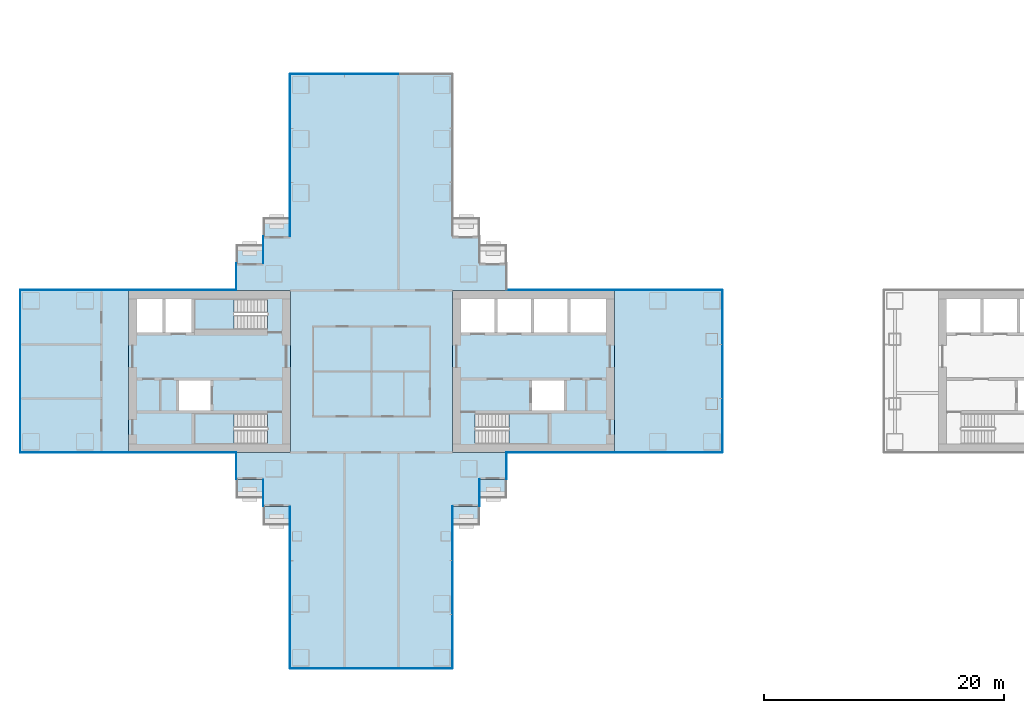
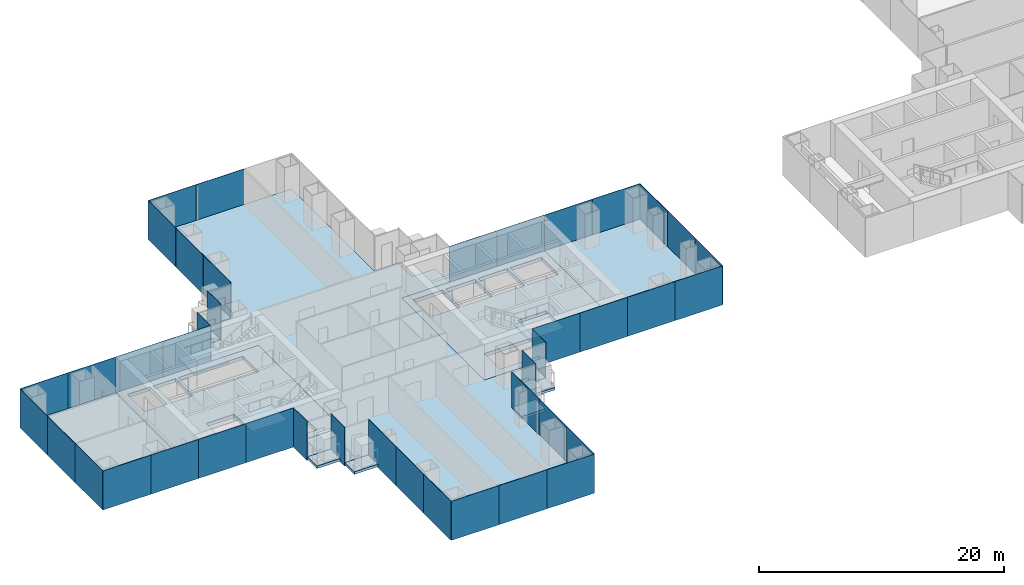
# One storey, part 10 of 21: 42 plates, 14 slabs, 21 elements without a shape of their own.
"""IFC4 building model written with IfcOpenShell, lengths in metres."""

from ifc_helpers import new_model, si_unit, direction, frame, origin, origin_2d, place, context, subcontext, project, spatial, polyline, rectangle, outline, extrude, material, layer, layer_set, type_object, element, aggregate, save


model = new_model("IFC4")

# Units and contexts
model_context = context("Model", 3, precision=1e-05, world=origin(), true_north=direction((0.0, 1.0)))
body_context = subcontext(model_context, "Body", "Model", "MODEL_VIEW")
ifc_project = project(units=[si_unit("LENGTHUNIT", "METRE"), si_unit("AREAUNIT", "SQUARE_METRE"), si_unit("VOLUMEUNIT", "CUBIC_METRE"), si_unit("PLANEANGLEUNIT", "RADIAN"), si_unit("MASSUNIT", "GRAM", prefix="KILO")], contexts=[model_context])

# Site, building, storey
site_placement = place(None, origin())
site = spatial("IfcSite", under=ifc_project, at=site_placement, CompositionType="ELEMENT")
building_placement = place(site_placement, origin())
building = spatial("IfcBuilding", under=site, at=building_placement, Name="Shamsa Quay Exchange Towers", CompositionType="ELEMENT")
storey_placement = place(building_placement, frame((0.0, 0.0, 45.89990234375)))
storey = spatial("IfcBuildingStorey", under=building, at=storey_placement, Name="L09", CompositionType="ELEMENT", Elevation=45.89990234375)

# Slabs
ifc_material_1 = material(Name="Precast concrete C40/50", Category="concrete")
ifc_layer_1 = layer(ifc_material_1, 0.25)
ifc_layer_set_1 = layer_set([ifc_layer_1], Name="BALCONY SLAB 250")
slab_type_1 = type_object("IfcSlabType", Name="BALCONY SLAB 250", PredefinedType="FLOOR", material=ifc_layer_set_1)
slab_1_placement = place(storey_placement, frame((0.0, 0.0, -0.25)))
element("IfcSlab", 1, at=slab_1_placement, inside=storey, type_object=slab_type_1, Name="Balcony T1-PKES L09", PredefinedType="FLOOR", context=body_context, shape_type="SweptSolid", body=[
    extrude(outline(polyline([(-24.7119140625, -9.0), (-22.5, -9.0), (-22.5, -10.550048828125), (-24.7119140625, -10.550048828125), (-24.7119140625, -9.0)])), origin(), (0.0, 0.0, 1.0), 0.25),
])
slab_2_placement = place(storey_placement, frame((0.0, 0.0, -0.25)))
element("IfcSlab", 2, at=slab_2_placement, inside=storey, type_object=slab_type_1, Name="Balcony T1-PKES L09", PredefinedType="FLOOR", context=body_context, shape_type="SweptSolid", body=[
    extrude(outline(polyline([(-26.9619140625, -11.25), (-24.75, -11.25), (-24.75, -12.800048828125), (-26.9619140625, -12.800048828125), (-26.9619140625, -11.25)])), origin(), (0.0, 0.0, 1.0), 0.25),
])
slab_3_placement = place(storey_placement, frame((0.0, 0.0, -0.25)))
element("IfcSlab", 3, at=slab_3_placement, inside=storey, type_object=slab_type_1, Name="Balcony T1-PKWN L09", PredefinedType="FLOOR", context=body_context, shape_type="SweptSolid", body=[
    extrude(outline(polyline([(-40.5380859375, 11.25), (-42.75, 11.25), (-42.75, 12.800048828125), (-40.5380859375, 12.800048828125), (-40.5380859375, 11.25)])), origin(), (0.0, 0.0, 1.0), 0.25),
])
slab_4_placement = place(storey_placement, frame((0.0, 0.0, -0.25)))
element("IfcSlab", 4, at=slab_4_placement, inside=storey, type_object=slab_type_1, Name="Balcony T1-PKWN L09", PredefinedType="FLOOR", context=body_context, shape_type="SweptSolid", body=[
    extrude(outline(polyline([(-42.7880859375, 9.0), (-45.0, 9.0), (-45.0, 10.550048828125), (-42.7880859375, 10.550048828125), (-42.7880859375, 9.0)])), origin(), (0.0, 0.0, 1.0), 0.25),
])
slab_5_placement = place(storey_placement, frame((0.0, 0.0, -0.25)))
element("IfcSlab", 5, at=slab_5_placement, inside=storey, type_object=slab_type_1, Name="Balcony T1-PKWS L09", PredefinedType="FLOOR", context=body_context, shape_type="SweptSolid", body=[
    extrude(outline(polyline([(-45.0, -9.0), (-42.7880859375, -9.0), (-42.7880859375, -10.550048828125), (-45.0, -10.550048828125), (-45.0, -9.0)])), origin(), (0.0, 0.0, 1.0), 0.25),
])
slab_6_placement = place(storey_placement, frame((0.0, 0.0, -0.25)))
element("IfcSlab", 6, at=slab_6_placement, inside=storey, type_object=slab_type_1, Name="Balcony T1-PKWS L09", PredefinedType="FLOOR", context=body_context, shape_type="SweptSolid", body=[
    extrude(outline(polyline([(-42.75, -11.25), (-40.5380859375, -11.25), (-40.5380859375, -12.800048828125), (-42.75, -12.800048828125), (-42.75, -11.25)])), origin(), (0.0, 0.0, 1.0), 0.25),
])
ifc_material_2 = material(Name="Concrete C50/60", Category="concrete")
ifc_layer_2 = layer(ifc_material_2, 0.35009765625)
ifc_layer_set_2 = layer_set([ifc_layer_2], Name="CORE FLOOR 350 C50/60")
slab_type_2 = type_object("IfcSlabType", Name="CORE FLOOR 350 C50/60", PredefinedType="FLOOR", material=ifc_layer_set_2)
slab_7_placement = place(storey_placement, frame((0.0, 0.0, -0.349853515625)))
element("IfcSlab", 7, at=slab_7_placement, inside=storey, type_object=slab_type_2, Name="Core floor T1A", PredefinedType="FLOOR", context=body_context, shape_type="SweptSolid", body=[
    extrude(outline(polyline([(-27.0, -6.75), (-13.5, -6.75), (-13.5, 6.75), (-27.0, 6.75), (-27.0, -6.75)]), holes=[polyline([(-25.099365234375, -6.050048828125), (-25.099365234375, -3.5), (-19.0, -3.5), (-19.0, -6.050048828125), (-25.099365234375, -6.050048828125)]), polyline([(-26.300048828125, 3.25), (-26.300048828125, 6.050048828125), (-23.5, 6.050048828125), (-23.5, 3.25), (-26.300048828125, 3.25)]), polyline([(-23.25, 3.25), (-23.25, 6.050048828125), (-20.449951171875, 6.050048828125), (-20.449951171875, 3.25), (-23.25, 3.25)]), polyline([(-20.199951171875, 3.25), (-20.199951171875, 6.050048828125), (-17.39990234375, 6.050048828125), (-17.39990234375, 3.25), (-20.199951171875, 3.25)]), polyline([(-17.14990234375, 3.25), (-17.14990234375, 6.050048828125), (-14.199951171875, 6.050048828125), (-14.199951171875, 3.25), (-17.14990234375, 3.25)]), polyline([(-20.35009765625, -3.25), (-20.35009765625, -0.75), (-17.699951171875, -0.75), (-17.699951171875, -3.25), (-20.35009765625, -3.25)])]), origin(), (0.0, 0.0, 1.0), 0.349853515625),
])
slab_8_placement = place(storey_placement, frame((0.0, 0.0, -0.349853515625)))
element("IfcSlab", 8, at=slab_8_placement, inside=storey, type_object=slab_type_2, Name="Core floor T1B", PredefinedType="FLOOR", context=body_context, shape_type="SweptSolid", body=[
    extrude(outline(polyline([(-40.5, -6.75), (-40.5, 6.75), (-54.0, 6.75), (-54.0, -6.75), (-40.5, -6.75)]), holes=[polyline([(-42.400634765625, -3.5), (-42.400634765625, -6.050048828125), (-48.5, -6.050048828125), (-48.5, -3.5), (-42.400634765625, -3.5)]), polyline([(-42.400634765625, 6.050048828125), (-42.400634765625, 3.5), (-48.5, 3.5), (-48.5, 6.050048828125), (-42.400634765625, 6.050048828125)]), polyline([(-48.75, 3.25), (-50.89990234375, 3.25), (-50.89990234375, 6.050048828125), (-48.75, 6.050048828125), (-48.75, 3.25)]), polyline([(-51.14990234375, 3.25), (-53.300048828125, 3.25), (-53.300048828125, 6.050048828125), (-51.14990234375, 6.050048828125), (-51.14990234375, 3.25)]), polyline([(-47.14990234375, -3.25), (-49.800048828125, -3.25), (-49.800048828125, -0.75), (-47.14990234375, -0.75), (-47.14990234375, -3.25)])]), origin(), (0.0, 0.0, 1.0), 0.349853515625),
])

# Stair, slab
ifc_material_3 = material(Name="Concrete C40/50", Category="concrete")
stair_type = type_object("IfcStairType", Name="EXIT STAIR 22 RISERS 177 MM", PredefinedType="HALF_TURN_STAIR", material=ifc_material_3)
stair_1_placement = place(storey_placement, origin())
stair_1 = element("IfcStair", 9, at=stair_1_placement, inside=storey, type_object=stair_type, Name="L09 Exit stair ST1", PredefinedType="HALF_TURN_STAIR")
ifc_layer_3 = layer(ifc_material_3, 0.199951171875)
ifc_layer_set_3 = layer_set([ifc_layer_3], Name="CORE STAIR LANDING")
slab_type_3 = type_object("IfcSlabType", Name="CORE STAIR LANDING", PredefinedType="LANDING", material=ifc_layer_set_3)
slab_9_placement = place(storey_placement, frame((0.0, 0.0, 1.75)))
slab_9 = element("IfcSlab", 10, at=slab_9_placement, type_object=slab_type_3, Name="ST1 landing 1", PredefinedType="LANDING", context=body_context, shape_type="SweptSolid", body=[
    extrude(outline(polyline([(-22.300048828125, -6.050048828125), (-19.0, -6.050048828125), (-19.0, -3.5), (-22.300048828125, -3.5), (-22.300048828125, -6.050048828125)])), origin(), (0.0, 0.0, 1.0), 0.2001953125),
])
aggregate(stair_1, [slab_9])

stair_2_placement = place(storey_placement, origin())
stair_2 = element("IfcStair", 11, at=stair_2_placement, inside=storey, type_object=stair_type, Name="L09 Exit stair ST2", PredefinedType="HALF_TURN_STAIR")
slab_10_placement = place(storey_placement, frame((0.0, 0.0, 1.75)))
slab_10 = element("IfcSlab", 12, at=slab_10_placement, type_object=slab_type_3, Name="ST2 landing 1", PredefinedType="LANDING", context=body_context, shape_type="SweptSolid", body=[
    extrude(outline(polyline([(-45.199951171875, -3.5), (-48.5, -3.5), (-48.5, -6.050048828125), (-45.199951171875, -6.050048828125), (-45.199951171875, -3.5)])), origin(), (0.0, 0.0, 1.0), 0.2001953125),
])
aggregate(stair_2, [slab_10])

stair_3_placement = place(storey_placement, origin())
stair_3 = element("IfcStair", 13, at=stair_3_placement, inside=storey, type_object=stair_type, Name="L09 Exit stair ST3", PredefinedType="HALF_TURN_STAIR")
slab_11_placement = place(storey_placement, frame((0.0, 0.0, 1.75)))
slab_11 = element("IfcSlab", 14, at=slab_11_placement, type_object=slab_type_3, Name="ST3 landing 1", PredefinedType="LANDING", context=body_context, shape_type="SweptSolid", body=[
    extrude(outline(polyline([(-45.199951171875, 6.050048828125), (-48.5, 6.050048828125), (-48.5, 3.5), (-45.199951171875, 3.5), (-45.199951171875, 6.050048828125)])), origin(), (0.0, 0.0, 1.0), 0.2001953125),
])
aggregate(stair_3, [slab_11])

# Curtain wall, plates
ifc_material_4 = material(Name="Aluminium EN AW-6063 T6, black anodised", Category="aluminium")
ifc_layer_4 = layer(ifc_material_4, 0.280029296875)
ifc_layer_set_4 = layer_set([ifc_layer_4], Name="CW-1 UNITISED VISION GLASS")
curtain_wall_type_1 = type_object("IfcCurtainWallType", Name="CW-1 UNITISED VISION GLASS", PredefinedType="NOTDEFINED", material=ifc_layer_set_4)
curtain_wall_1_placement = place(storey_placement, origin())
curtain_wall_1 = element("IfcCurtainWall", 15, at=curtain_wall_1_placement, inside=storey, type_object=curtain_wall_type_1, Name="CW1 T1-FLK-V-W L09", PredefinedType="NOTDEFINED")
ifc_material_5 = material(Name="Glass, laminated, dark tinted", Category="glass")
ifc_layer_5 = layer(ifc_material_5, 0.0400390625)
ifc_layer_set_5 = layer_set([ifc_layer_5], Name="CW-1 VISION GLASS 40")
plate_type_1 = type_object("IfcPlateType", Name="CW-1 VISION GLASS 40", PredefinedType="CURTAIN_PANEL", material=ifc_layer_set_5)
plate_1_placement = place(storey_placement, frame((-40.52001953125, -13.529052734375, -0.349853515625), z_axis=(0.0, 0.0, 1.0), x_axis=(0.0, -1.0, 0.0)))
plate_1 = element("IfcPlate", 16, at=plate_1_placement, type_object=plate_type_1, Name="CW1 glass panel", PredefinedType="CURTAIN_PANEL", context=body_context, shape_type="SweptSolid", body=[
    extrude(rectangle(XDim=4.482421875, YDim=0.0400390625, at=origin_2d()), origin(), (0.0, 0.0, 1.0), 3.89990234375),
])
plate_2_placement = place(storey_placement, frame((-40.52001953125, -18.01904296875, -0.349853515625), z_axis=(0.0, 0.0, 1.0), x_axis=(0.0, -1.0, 0.0)))
plate_2 = element("IfcPlate", 17, at=plate_2_placement, type_object=plate_type_1, Name="CW1 glass panel", PredefinedType="CURTAIN_PANEL", context=body_context, shape_type="SweptSolid", body=[
    extrude(rectangle(XDim=4.477294921875, YDim=0.0400390625, at=origin_2d()), origin(), (0.0, 0.0, 1.0), 3.89990234375),
])
plate_3_placement = place(storey_placement, frame((-40.52001953125, -22.5087890625, -0.349853515625), z_axis=(0.0, 0.0, 1.0), x_axis=(0.0, -1.0, 0.0)))
plate_3 = element("IfcPlate", 18, at=plate_3_placement, type_object=plate_type_1, Name="CW1 glass panel", PredefinedType="CURTAIN_PANEL", context=body_context, shape_type="SweptSolid", body=[
    extrude(rectangle(XDim=4.482421875, YDim=0.0400390625, at=origin_2d()), origin(), (0.0, 0.0, 1.0), 3.89990234375),
])
aggregate(curtain_wall_1, [plate_1, plate_2, plate_3])

curtain_wall_2_placement = place(storey_placement, origin())
curtain_wall_2 = element("IfcCurtainWall", 19, at=curtain_wall_2_placement, inside=storey, type_object=curtain_wall_type_1, Name="CW1 T1-END-V- L09", PredefinedType="NOTDEFINED")
plate_4_placement = place(storey_placement, frame((-38.25244140625, -24.77001953125, -0.349853515625)))
plate_4 = element("IfcPlate", 20, at=plate_4_placement, type_object=plate_type_1, Name="CW1 glass panel", PredefinedType="CURTAIN_PANEL", context=body_context, shape_type="SweptSolid", body=[
    extrude(rectangle(XDim=4.4951171875, YDim=0.0400390625, at=origin_2d()), origin(), (0.0, 0.0, 1.0), 3.89990234375),
])
plate_5_placement = place(storey_placement, frame((-33.75, -24.77001953125, -0.349853515625)))
plate_5 = element("IfcPlate", 21, at=plate_5_placement, type_object=plate_type_1, Name="CW1 glass panel", PredefinedType="CURTAIN_PANEL", context=body_context, shape_type="SweptSolid", body=[
    extrude(rectangle(XDim=4.489990234375, YDim=0.0400390625, at=origin_2d()), origin(), (0.0, 0.0, 1.0), 3.89990234375),
])
plate_6_placement = place(storey_placement, frame((-29.24755859375, -24.77001953125, -0.349853515625)))
plate_6 = element("IfcPlate", 22, at=plate_6_placement, type_object=plate_type_1, Name="CW1 glass panel", PredefinedType="CURTAIN_PANEL", context=body_context, shape_type="SweptSolid", body=[
    extrude(rectangle(XDim=4.4951171875, YDim=0.0400390625, at=origin_2d()), origin(), (0.0, 0.0, 1.0), 3.89990234375),
])
aggregate(curtain_wall_2, [plate_4, plate_5, plate_6])

curtain_wall_3_placement = place(storey_placement, origin())
curtain_wall_3 = element("IfcCurtainWall", 23, at=curtain_wall_3_placement, inside=storey, type_object=curtain_wall_type_1, Name="CW1 T1-FLK-V-E L09", PredefinedType="NOTDEFINED")
plate_7_placement = place(storey_placement, frame((-26.97998046875, -22.50244140625, -0.349853515625), z_axis=(0.0, 0.0, 1.0), x_axis=(0.0, 1.0, 0.0)))
plate_7 = element("IfcPlate", 24, at=plate_7_placement, type_object=plate_type_1, Name="CW1 glass panel", PredefinedType="CURTAIN_PANEL", context=body_context, shape_type="SweptSolid", body=[
    extrude(rectangle(XDim=4.4951171875, YDim=0.0400390625, at=origin_2d()), origin(), (0.0, 0.0, 1.0), 3.89990234375),
])
plate_8_placement = place(storey_placement, frame((-26.97998046875, -18.0, -0.349853515625), z_axis=(0.0, 0.0, 1.0), x_axis=(0.0, 1.0, 0.0)))
plate_8 = element("IfcPlate", 25, at=plate_8_placement, type_object=plate_type_1, Name="CW1 glass panel", PredefinedType="CURTAIN_PANEL", context=body_context, shape_type="SweptSolid", body=[
    extrude(rectangle(XDim=4.489990234375, YDim=0.0400390625, at=origin_2d()), origin(), (0.0, 0.0, 1.0), 3.89990234375),
])
plate_9_placement = place(storey_placement, frame((-26.97998046875, -13.49755859375, -0.349853515625), z_axis=(0.0, 0.0, 1.0), x_axis=(0.0, 1.0, 0.0)))
plate_9 = element("IfcPlate", 26, at=plate_9_placement, type_object=plate_type_1, Name="CW1 glass panel", PredefinedType="CURTAIN_PANEL", context=body_context, shape_type="SweptSolid", body=[
    extrude(rectangle(XDim=4.4951171875, YDim=0.0400390625, at=origin_2d()), origin(), (0.0, 0.0, 1.0), 3.89990234375),
])
aggregate(curtain_wall_3, [plate_7, plate_8, plate_9])

curtain_wall_4_placement = place(storey_placement, origin())
curtain_wall_4 = element("IfcCurtainWall", 27, at=curtain_wall_4_placement, inside=storey, type_object=curtain_wall_type_1, Name="CW1 T1-FLK-U+S L09", PredefinedType="NOTDEFINED")
plate_10_placement = place(storey_placement, frame((-11.25244140625, -6.77001953125, -0.349853515625)))
plate_10 = element("IfcPlate", 28, at=plate_10_placement, type_object=plate_type_1, Name="CW1 glass panel", PredefinedType="CURTAIN_PANEL", context=body_context, shape_type="SweptSolid", body=[
    extrude(rectangle(XDim=4.4951171875, YDim=0.0400390625, at=origin_2d()), origin(), (0.0, 0.0, 1.0), 3.89990234375),
])
plate_11_placement = place(storey_placement, frame((-6.74755859375, -6.77001953125, -0.349853515625)))
plate_11 = element("IfcPlate", 29, at=plate_11_placement, type_object=plate_type_1, Name="CW1 glass panel", PredefinedType="CURTAIN_PANEL", context=body_context, shape_type="SweptSolid", body=[
    extrude(rectangle(XDim=4.4951171875, YDim=0.0400390625, at=origin_2d()), origin(), (0.0, 0.0, 1.0), 3.89990234375),
])
aggregate(curtain_wall_4, [plate_10, plate_11])

curtain_wall_5_placement = place(storey_placement, origin())
curtain_wall_5 = element("IfcCurtainWall", 30, at=curtain_wall_5_placement, inside=storey, type_object=curtain_wall_type_1, Name="CW1 T1-END-U+ L09", PredefinedType="NOTDEFINED")
plate_12_placement = place(storey_placement, frame((-4.47998046875, -4.50244140625, -0.349853515625), z_axis=(0.0, 0.0, 1.0), x_axis=(0.0, 1.0, 0.0)))
plate_12 = element("IfcPlate", 31, at=plate_12_placement, type_object=plate_type_1, Name="CW1 glass panel", PredefinedType="CURTAIN_PANEL", context=body_context, shape_type="SweptSolid", body=[
    extrude(rectangle(XDim=4.4951171875, YDim=0.0400390625, at=origin_2d()), origin(), (0.0, 0.0, 1.0), 3.89990234375),
])
plate_13_placement = place(storey_placement, frame((-4.47998046875, 0.0, -0.349853515625), z_axis=(0.0, 0.0, 1.0), x_axis=(0.0, 1.0, 0.0)))
plate_13 = element("IfcPlate", 32, at=plate_13_placement, type_object=plate_type_1, Name="CW1 glass panel", PredefinedType="CURTAIN_PANEL", context=body_context, shape_type="SweptSolid", body=[
    extrude(rectangle(XDim=4.489990234375, YDim=0.0400390625, at=origin_2d()), origin(), (0.0, 0.0, 1.0), 3.89990234375),
])
plate_14_placement = place(storey_placement, frame((-4.47998046875, 4.50244140625, -0.349853515625), z_axis=(0.0, 0.0, 1.0), x_axis=(0.0, 1.0, 0.0)))
plate_14 = element("IfcPlate", 33, at=plate_14_placement, type_object=plate_type_1, Name="CW1 glass panel", PredefinedType="CURTAIN_PANEL", context=body_context, shape_type="SweptSolid", body=[
    extrude(rectangle(XDim=4.4951171875, YDim=0.0400390625, at=origin_2d()), origin(), (0.0, 0.0, 1.0), 3.89990234375),
])
aggregate(curtain_wall_5, [plate_12, plate_13, plate_14])

curtain_wall_6_placement = place(storey_placement, origin())
curtain_wall_6 = element("IfcCurtainWall", 34, at=curtain_wall_6_placement, inside=storey, type_object=curtain_wall_type_1, Name="CW1 T1-FLK-U+N L09", PredefinedType="NOTDEFINED")
plate_15_placement = place(storey_placement, frame((-6.74755859375, 6.77001953125, -0.349853515625), z_axis=(0.0, 0.0, 1.0), x_axis=(-1.0, 0.0, 0.0)))
plate_15 = element("IfcPlate", 35, at=plate_15_placement, type_object=plate_type_1, Name="CW1 glass panel", PredefinedType="CURTAIN_PANEL", context=body_context, shape_type="SweptSolid", body=[
    extrude(rectangle(XDim=4.4951171875, YDim=0.0400390625, at=origin_2d()), origin(), (0.0, 0.0, 1.0), 3.89990234375),
])
plate_16_placement = place(storey_placement, frame((-11.25244140625, 6.77001953125, -0.349853515625), z_axis=(0.0, 0.0, 1.0), x_axis=(-1.0, 0.0, 0.0)))
plate_16 = element("IfcPlate", 36, at=plate_16_placement, type_object=plate_type_1, Name="CW1 glass panel", PredefinedType="CURTAIN_PANEL", context=body_context, shape_type="SweptSolid", body=[
    extrude(rectangle(XDim=4.4951171875, YDim=0.0400390625, at=origin_2d()), origin(), (0.0, 0.0, 1.0), 3.89990234375),
])
aggregate(curtain_wall_6, [plate_15, plate_16])

curtain_wall_7_placement = place(storey_placement, origin())
curtain_wall_7 = element("IfcCurtainWall", 37, at=curtain_wall_7_placement, inside=storey, type_object=curtain_wall_type_1, Name="CW1 T1-END-V+ L09", PredefinedType="NOTDEFINED")
plate_17_placement = place(storey_placement, frame((-33.75, 24.77001953125, -0.349853515625), z_axis=(0.0, 0.0, 1.0), x_axis=(-1.0, 0.0, 0.0)))
plate_17 = element("IfcPlate", 38, at=plate_17_placement, type_object=plate_type_1, Name="CW1 glass panel", PredefinedType="CURTAIN_PANEL", context=body_context, shape_type="SweptSolid", body=[
    extrude(rectangle(XDim=4.489990234375, YDim=0.0400390625, at=origin_2d()), origin(), (0.0, 0.0, 1.0), 3.89990234375),
])
plate_18_placement = place(storey_placement, frame((-38.25244140625, 24.77001953125, -0.349853515625), z_axis=(0.0, 0.0, 1.0), x_axis=(-1.0, 0.0, 0.0)))
plate_18 = element("IfcPlate", 39, at=plate_18_placement, type_object=plate_type_1, Name="CW1 glass panel", PredefinedType="CURTAIN_PANEL", context=body_context, shape_type="SweptSolid", body=[
    extrude(rectangle(XDim=4.4951171875, YDim=0.0400390625, at=origin_2d()), origin(), (0.0, 0.0, 1.0), 3.89990234375),
])
aggregate(curtain_wall_7, [plate_17, plate_18])

curtain_wall_8_placement = place(storey_placement, origin())
curtain_wall_8 = element("IfcCurtainWall", 40, at=curtain_wall_8_placement, inside=storey, type_object=curtain_wall_type_1, Name="CW1 T1-FLK-V+W L09", PredefinedType="NOTDEFINED")
plate_19_placement = place(storey_placement, frame((-40.52001953125, 22.50244140625, -0.349853515625), z_axis=(0.0, 0.0, 1.0), x_axis=(0.0, -1.0, 0.0)))
plate_19 = element("IfcPlate", 41, at=plate_19_placement, type_object=plate_type_1, Name="CW1 glass panel", PredefinedType="CURTAIN_PANEL", context=body_context, shape_type="SweptSolid", body=[
    extrude(rectangle(XDim=4.4951171875, YDim=0.0400390625, at=origin_2d()), origin(), (0.0, 0.0, 1.0), 3.89990234375),
])
plate_20_placement = place(storey_placement, frame((-40.52001953125, 18.0, -0.349853515625), z_axis=(0.0, 0.0, 1.0), x_axis=(0.0, -1.0, 0.0)))
plate_20 = element("IfcPlate", 42, at=plate_20_placement, type_object=plate_type_1, Name="CW1 glass panel", PredefinedType="CURTAIN_PANEL", context=body_context, shape_type="SweptSolid", body=[
    extrude(rectangle(XDim=4.489990234375, YDim=0.0400390625, at=origin_2d()), origin(), (0.0, 0.0, 1.0), 3.89990234375),
])
plate_21_placement = place(storey_placement, frame((-40.52001953125, 13.49755859375, -0.349853515625), z_axis=(0.0, 0.0, 1.0), x_axis=(0.0, -1.0, 0.0)))
plate_21 = element("IfcPlate", 43, at=plate_21_placement, type_object=plate_type_1, Name="CW1 glass panel", PredefinedType="CURTAIN_PANEL", context=body_context, shape_type="SweptSolid", body=[
    extrude(rectangle(XDim=4.4951171875, YDim=0.0400390625, at=origin_2d()), origin(), (0.0, 0.0, 1.0), 3.89990234375),
])
aggregate(curtain_wall_8, [plate_19, plate_20, plate_21])

curtain_wall_9_placement = place(storey_placement, origin())
curtain_wall_9 = element("IfcCurtainWall", 44, at=curtain_wall_9_placement, inside=storey, type_object=curtain_wall_type_1, Name="CW1 T1-FLK-U-N L09", PredefinedType="NOTDEFINED")
plate_22_placement = place(storey_placement, frame((-56.24755859375, 6.77001953125, -0.349853515625), z_axis=(0.0, 0.0, 1.0), x_axis=(-1.0, 0.0, 0.0)))
plate_22 = element("IfcPlate", 45, at=plate_22_placement, type_object=plate_type_1, Name="CW1 glass panel", PredefinedType="CURTAIN_PANEL", context=body_context, shape_type="SweptSolid", body=[
    extrude(rectangle(XDim=4.4951171875, YDim=0.0400390625, at=origin_2d()), origin(), (0.0, 0.0, 1.0), 3.89990234375),
])
plate_23_placement = place(storey_placement, frame((-60.75244140625, 6.77001953125, -0.349853515625), z_axis=(0.0, 0.0, 1.0), x_axis=(-1.0, 0.0, 0.0)))
plate_23 = element("IfcPlate", 46, at=plate_23_placement, type_object=plate_type_1, Name="CW1 glass panel", PredefinedType="CURTAIN_PANEL", context=body_context, shape_type="SweptSolid", body=[
    extrude(rectangle(XDim=4.4951171875, YDim=0.0400390625, at=origin_2d()), origin(), (0.0, 0.0, 1.0), 3.89990234375),
])
aggregate(curtain_wall_9, [plate_22, plate_23])

curtain_wall_10_placement = place(storey_placement, origin())
curtain_wall_10 = element("IfcCurtainWall", 47, at=curtain_wall_10_placement, inside=storey, type_object=curtain_wall_type_1, Name="CW1 T1-END-U- L09", PredefinedType="NOTDEFINED")
plate_24_placement = place(storey_placement, frame((-63.02001953125, 4.50244140625, -0.349853515625), z_axis=(0.0, 0.0, 1.0), x_axis=(0.0, -1.0, 0.0)))
plate_24 = element("IfcPlate", 48, at=plate_24_placement, type_object=plate_type_1, Name="CW1 glass panel", PredefinedType="CURTAIN_PANEL", context=body_context, shape_type="SweptSolid", body=[
    extrude(rectangle(XDim=4.4951171875, YDim=0.0400390625, at=origin_2d()), origin(), (0.0, 0.0, 1.0), 3.89990234375),
])
plate_25_placement = place(storey_placement, frame((-63.02001953125, 0.0, -0.349853515625), z_axis=(0.0, 0.0, 1.0), x_axis=(0.0, -1.0, 0.0)))
plate_25 = element("IfcPlate", 49, at=plate_25_placement, type_object=plate_type_1, Name="CW1 glass panel", PredefinedType="CURTAIN_PANEL", context=body_context, shape_type="SweptSolid", body=[
    extrude(rectangle(XDim=4.489990234375, YDim=0.0400390625, at=origin_2d()), origin(), (0.0, 0.0, 1.0), 3.89990234375),
])
plate_26_placement = place(storey_placement, frame((-63.02001953125, -4.50244140625, -0.349853515625), z_axis=(0.0, 0.0, 1.0), x_axis=(0.0, -1.0, 0.0)))
plate_26 = element("IfcPlate", 50, at=plate_26_placement, type_object=plate_type_1, Name="CW1 glass panel", PredefinedType="CURTAIN_PANEL", context=body_context, shape_type="SweptSolid", body=[
    extrude(rectangle(XDim=4.4951171875, YDim=0.0400390625, at=origin_2d()), origin(), (0.0, 0.0, 1.0), 3.89990234375),
])
aggregate(curtain_wall_10, [plate_24, plate_25, plate_26])

curtain_wall_11_placement = place(storey_placement, origin())
curtain_wall_11 = element("IfcCurtainWall", 51, at=curtain_wall_11_placement, inside=storey, type_object=curtain_wall_type_1, Name="CW1 T1-FLK-U-S L09", PredefinedType="NOTDEFINED")
plate_27_placement = place(storey_placement, frame((-60.75244140625, -6.77001953125, -0.349853515625)))
plate_27 = element("IfcPlate", 52, at=plate_27_placement, type_object=plate_type_1, Name="CW1 glass panel", PredefinedType="CURTAIN_PANEL", context=body_context, shape_type="SweptSolid", body=[
    extrude(rectangle(XDim=4.4951171875, YDim=0.0400390625, at=origin_2d()), origin(), (0.0, 0.0, 1.0), 3.89990234375),
])
plate_28_placement = place(storey_placement, frame((-56.24755859375, -6.77001953125, -0.349853515625)))
plate_28 = element("IfcPlate", 53, at=plate_28_placement, type_object=plate_type_1, Name="CW1 glass panel", PredefinedType="CURTAIN_PANEL", context=body_context, shape_type="SweptSolid", body=[
    extrude(rectangle(XDim=4.4951171875, YDim=0.0400390625, at=origin_2d()), origin(), (0.0, 0.0, 1.0), 3.89990234375),
])
aggregate(curtain_wall_11, [plate_27, plate_28])

ifc_layer_6 = layer(ifc_material_4, 0.303955078125)
ifc_layer_set_6 = layer_set([ifc_layer_6], Name="CW-2 UNITISED OPAQUE SPANDREL GLASS")
curtain_wall_type_2 = type_object("IfcCurtainWallType", Name="CW-2 UNITISED OPAQUE SPANDREL GLASS", PredefinedType="NOTDEFINED", material=ifc_layer_set_6)
curtain_wall_12_placement = place(storey_placement, origin())
curtain_wall_12 = element("IfcCurtainWall", 54, at=curtain_wall_12_placement, inside=storey, type_object=curtain_wall_type_2, Name="CW2 T1-FLK-U+S L09", PredefinedType="NOTDEFINED")
ifc_material_6 = material(Name="Glass, laminated, black enamelled opaque", Category="glass")
ifc_layer_7 = layer(ifc_material_6, 0.0439453125)
ifc_layer_set_7 = layer_set([ifc_layer_7], Name="CW-2 SPANDREL GLASS 44")
plate_type_2 = type_object("IfcPlateType", Name="CW-2 SPANDREL GLASS 44", PredefinedType="CURTAIN_PANEL", material=ifc_layer_set_7)
plate_29_placement = place(storey_placement, frame((-20.22412109375, -6.77197265625, -0.349853515625)))
plate_29 = element("IfcPlate", 55, at=plate_29_placement, type_object=plate_type_2, Name="CW2 glass panel", PredefinedType="CURTAIN_PANEL", context=body_context, shape_type="SweptSolid", body=[
    extrude(rectangle(XDim=4.47607421875, YDim=0.0439453125, at=origin_2d()), origin(), (0.0, 0.0, 1.0), 3.89990234375),
])
plate_30_placement = place(storey_placement, frame((-15.738037109375, -6.77197265625, -0.349853515625)))
plate_30 = element("IfcPlate", 56, at=plate_30_placement, type_object=plate_type_2, Name="CW2 glass panel", PredefinedType="CURTAIN_PANEL", context=body_context, shape_type="SweptSolid", body=[
    extrude(rectangle(XDim=4.47607421875, YDim=0.0439453125, at=origin_2d()), origin(), (0.0, 0.0, 1.0), 3.89990234375),
])
aggregate(curtain_wall_12, [plate_29, plate_30])

curtain_wall_13_placement = place(storey_placement, origin())
curtain_wall_13 = element("IfcCurtainWall", 57, at=curtain_wall_13_placement, inside=storey, type_object=curtain_wall_type_2, Name="CW2 T1-FLK-U+N L09", PredefinedType="NOTDEFINED")
plate_31_placement = place(storey_placement, frame((-15.74755859375, 6.77197265625, -0.349853515625), z_axis=(0.0, 0.0, 1.0), x_axis=(-1.0, 0.0, 0.0)))
plate_31 = element("IfcPlate", 58, at=plate_31_placement, type_object=plate_type_2, Name="CW2 glass panel", PredefinedType="CURTAIN_PANEL", context=body_context, shape_type="SweptSolid", body=[
    extrude(rectangle(XDim=4.4951171875, YDim=0.0439453125, at=origin_2d()), origin(), (0.0, 0.0, 1.0), 3.89990234375),
])
plate_32_placement = place(storey_placement, frame((-20.25244140625, 6.77197265625, -0.349853515625), z_axis=(0.0, 0.0, 1.0), x_axis=(-1.0, 0.0, 0.0)))
plate_32 = element("IfcPlate", 59, at=plate_32_placement, type_object=plate_type_2, Name="CW2 glass panel", PredefinedType="CURTAIN_PANEL", context=body_context, shape_type="SweptSolid", body=[
    extrude(rectangle(XDim=4.4951171875, YDim=0.0439453125, at=origin_2d()), origin(), (0.0, 0.0, 1.0), 3.89990234375),
])
aggregate(curtain_wall_13, [plate_31, plate_32])

curtain_wall_14_placement = place(storey_placement, origin())
curtain_wall_14 = element("IfcCurtainWall", 60, at=curtain_wall_14_placement, inside=storey, type_object=curtain_wall_type_2, Name="CW2 T1-FLK-U-N L09", PredefinedType="NOTDEFINED")
plate_33_placement = place(storey_placement, frame((-47.27587890625, 6.77197265625, -0.349853515625), z_axis=(0.0, 0.0, 1.0), x_axis=(-1.0, 0.0, 0.0)))
plate_33 = element("IfcPlate", 61, at=plate_33_placement, type_object=plate_type_2, Name="CW2 glass panel", PredefinedType="CURTAIN_PANEL", context=body_context, shape_type="SweptSolid", body=[
    extrude(rectangle(XDim=4.47607421875, YDim=0.0439453125, at=origin_2d()), origin(), (0.0, 0.0, 1.0), 3.89990234375),
])
plate_34_placement = place(storey_placement, frame((-51.761962890625, 6.77197265625, -0.349853515625), z_axis=(0.0, 0.0, 1.0), x_axis=(-1.0, 0.0, 0.0)))
plate_34 = element("IfcPlate", 62, at=plate_34_placement, type_object=plate_type_2, Name="CW2 glass panel", PredefinedType="CURTAIN_PANEL", context=body_context, shape_type="SweptSolid", body=[
    extrude(rectangle(XDim=4.47607421875, YDim=0.0439453125, at=origin_2d()), origin(), (0.0, 0.0, 1.0), 3.89990234375),
])
aggregate(curtain_wall_14, [plate_33, plate_34])

curtain_wall_15_placement = place(storey_placement, origin())
curtain_wall_15 = element("IfcCurtainWall", 63, at=curtain_wall_15_placement, inside=storey, type_object=curtain_wall_type_2, Name="CW2 T1-FLK-U-S L09", PredefinedType="NOTDEFINED")
plate_35_placement = place(storey_placement, frame((-51.75244140625, -6.77197265625, -0.349853515625)))
plate_35 = element("IfcPlate", 64, at=plate_35_placement, type_object=plate_type_2, Name="CW2 glass panel", PredefinedType="CURTAIN_PANEL", context=body_context, shape_type="SweptSolid", body=[
    extrude(rectangle(XDim=4.4951171875, YDim=0.0439453125, at=origin_2d()), origin(), (0.0, 0.0, 1.0), 3.89990234375),
])
plate_36_placement = place(storey_placement, frame((-47.24755859375, -6.77197265625, -0.349853515625)))
plate_36 = element("IfcPlate", 65, at=plate_36_placement, type_object=plate_type_2, Name="CW2 glass panel", PredefinedType="CURTAIN_PANEL", context=body_context, shape_type="SweptSolid", body=[
    extrude(rectangle(XDim=4.4951171875, YDim=0.0439453125, at=origin_2d()), origin(), (0.0, 0.0, 1.0), 3.89990234375),
])
aggregate(curtain_wall_15, [plate_35, plate_36])

ifc_layer_8 = layer(ifc_material_4, 0.256103515625)
ifc_layer_set_8 = layer_set([ifc_layer_8], Name="CW-4 POCKET SERRATED GLAZING")
curtain_wall_type_3 = type_object("IfcCurtainWallType", Name="CW-4 POCKET SERRATED GLAZING", PredefinedType="NOTDEFINED", material=ifc_layer_set_8)
curtain_wall_16_placement = place(storey_placement, origin())
curtain_wall_16 = element("IfcCurtainWall", 66, at=curtain_wall_16_placement, inside=storey, type_object=curtain_wall_type_3, Name="CW4 PKWS L09", PredefinedType="NOTDEFINED")
ifc_layer_9 = layer(ifc_material_5, 0.035888671875)
ifc_layer_set_9 = layer_set([ifc_layer_9], Name="CW-4 POCKET GLASS 36")
plate_type_3 = type_object("IfcPlateType", Name="CW-4 POCKET GLASS 36", PredefinedType="CURTAIN_PANEL", material=ifc_layer_set_9)
plate_37_placement = place(storey_placement, frame((-42.76806640625, -10.14404296875, -0.349853515625), z_axis=(0.0, 0.0, 1.0), x_axis=(0.0, -1.0, 0.0)))
plate_37 = element("IfcPlate", 67, at=plate_37_placement, type_object=plate_type_3, Name="CW4 glass panel", PredefinedType="CURTAIN_PANEL", context=body_context, shape_type="SweptSolid", body=[
    extrude(rectangle(XDim=2.2119140625, YDim=0.035888671875, at=origin_2d()), origin(), (0.0, 0.0, 1.0), 3.89990234375),
])
plate_38_placement = place(storey_placement, frame((-45.01806640625, -7.89794921875, -0.349853515625), z_axis=(0.0, 0.0, 1.0), x_axis=(0.0, -1.0, 0.0)))
plate_38 = element("IfcPlate", 68, at=plate_38_placement, type_object=plate_type_3, Name="CW4 glass panel", PredefinedType="CURTAIN_PANEL", context=body_context, shape_type="SweptSolid", body=[
    extrude(rectangle(XDim=2.2041015625, YDim=0.035888671875, at=origin_2d()), origin(), (0.0, 0.0, 1.0), 3.89990234375),
])
aggregate(curtain_wall_16, [plate_37, plate_38])

curtain_wall_17_placement = place(storey_placement, origin())
curtain_wall_17 = element("IfcCurtainWall", 69, at=curtain_wall_17_placement, inside=storey, type_object=curtain_wall_type_3, Name="CW4 PKES L09", PredefinedType="NOTDEFINED")
plate_39_placement = place(storey_placement, frame((-24.73193359375, -10.125, -0.349853515625), z_axis=(0.0, 0.0, 1.0), x_axis=(0.0, 1.0, 0.0)))
plate_39 = element("IfcPlate", 70, at=plate_39_placement, type_object=plate_type_3, Name="CW4 glass panel", PredefinedType="CURTAIN_PANEL", context=body_context, shape_type="SweptSolid", body=[
    extrude(rectangle(XDim=2.25, YDim=0.035888671875, at=origin_2d()), origin(), (0.0, 0.0, 1.0), 3.89990234375),
])
plate_40_placement = place(storey_placement, frame((-22.48193359375, -7.875, -0.349853515625), z_axis=(0.0, 0.0, 1.0), x_axis=(0.0, 1.0, 0.0)))
plate_40 = element("IfcPlate", 71, at=plate_40_placement, type_object=plate_type_3, Name="CW4 glass panel", PredefinedType="CURTAIN_PANEL", context=body_context, shape_type="SweptSolid", body=[
    extrude(rectangle(XDim=2.25, YDim=0.035888671875, at=origin_2d()), origin(), (0.0, 0.0, 1.0), 3.89990234375),
])
aggregate(curtain_wall_17, [plate_39, plate_40])

curtain_wall_18_placement = place(storey_placement, origin())
curtain_wall_18 = element("IfcCurtainWall", 72, at=curtain_wall_18_placement, inside=storey, type_object=curtain_wall_type_3, Name="CW4 PKWN L09", PredefinedType="NOTDEFINED")
plate_41_placement = place(storey_placement, frame((-42.76806640625, 10.125, -0.349853515625), z_axis=(0.0, 0.0, 1.0), x_axis=(0.0, -1.0, 0.0)))
plate_41 = element("IfcPlate", 73, at=plate_41_placement, type_object=plate_type_3, Name="CW4 glass panel", PredefinedType="CURTAIN_PANEL", context=body_context, shape_type="SweptSolid", body=[
    extrude(rectangle(XDim=2.25, YDim=0.035888671875, at=origin_2d()), origin(), (0.0, 0.0, 1.0), 3.89990234375),
])
plate_42_placement = place(storey_placement, frame((-45.01806640625, 7.875, -0.349853515625), z_axis=(0.0, 0.0, 1.0), x_axis=(0.0, -1.0, 0.0)))
plate_42 = element("IfcPlate", 74, at=plate_42_placement, type_object=plate_type_3, Name="CW4 glass panel", PredefinedType="CURTAIN_PANEL", context=body_context, shape_type="SweptSolid", body=[
    extrude(rectangle(XDim=2.25, YDim=0.035888671875, at=origin_2d()), origin(), (0.0, 0.0, 1.0), 3.89990234375),
])
aggregate(curtain_wall_18, [plate_41, plate_42])

# Slabs
ifc_layer_10 = layer(ifc_material_3, 0.35009765625)
ifc_layer_set_10 = layer_set([ifc_layer_10], Name="Flat slab 350")
slab_type_4 = type_object("IfcSlabType", Name="Flat slab 350", PredefinedType="FLOOR", material=ifc_layer_set_10)
slab_12_placement = place(storey_placement, frame((0.0, 0.0, -0.349853515625)))
element("IfcSlab", 75, at=slab_12_placement, inside=storey, type_object=slab_type_4, Name="Flat slab T1 L09 1", PredefinedType="FLOOR", context=body_context, shape_type="SweptSolid", body=[
    extrude(outline(polyline([(-63.0, -6.75), (-54.0, -6.75), (-54.0, 6.75), (-63.0, 6.75), (-63.0, -6.75)])), origin(), (0.0, 0.0, 1.0), 0.349853515625),
])
slab_13_placement = place(storey_placement, frame((0.0, 0.0, -0.349853515625)))
element("IfcSlab", 76, at=slab_13_placement, inside=storey, type_object=slab_type_4, Name="Flat slab T1 L09 2", PredefinedType="FLOOR", context=body_context, shape_type="SweptSolid", body=[
    extrude(outline(polyline([(-22.5, -9.0), (-22.5, -6.75), (-27.0, -6.75), (-27.0, 6.75), (-22.5, 6.75), (-22.5, 9.0), (-24.75, 9.0), (-24.75, 11.25), (-27.0, 11.25), (-27.0, 24.75), (-40.5, 24.75), (-40.5, 11.25), (-42.75, 11.25), (-42.75, 9.0), (-45.0, 9.0), (-45.0, 6.75), (-40.5, 6.75), (-40.5, -6.75), (-45.0, -6.75), (-45.0, -9.0), (-42.75, -9.0), (-42.75, -11.25), (-40.5, -11.25), (-40.5, -24.75), (-27.0, -24.75), (-27.0, -11.25), (-24.75, -11.25), (-24.75, -9.0), (-22.5, -9.0)])), origin(), (0.0, 0.0, 1.0), 0.349853515625),
])
slab_14_placement = place(storey_placement, frame((0.0, 0.0, -0.349853515625)))
element("IfcSlab", 77, at=slab_14_placement, inside=storey, type_object=slab_type_4, Name="Flat slab T1 L09 3", PredefinedType="FLOOR", context=body_context, shape_type="SweptSolid", body=[
    extrude(outline(polyline([(-4.5, 6.75), (-13.5, 6.75), (-13.5, -6.75), (-4.5, -6.75), (-4.5, 6.75)])), origin(), (0.0, 0.0, 1.0), 0.349853515625),
])

save(model, "model.ifc")
